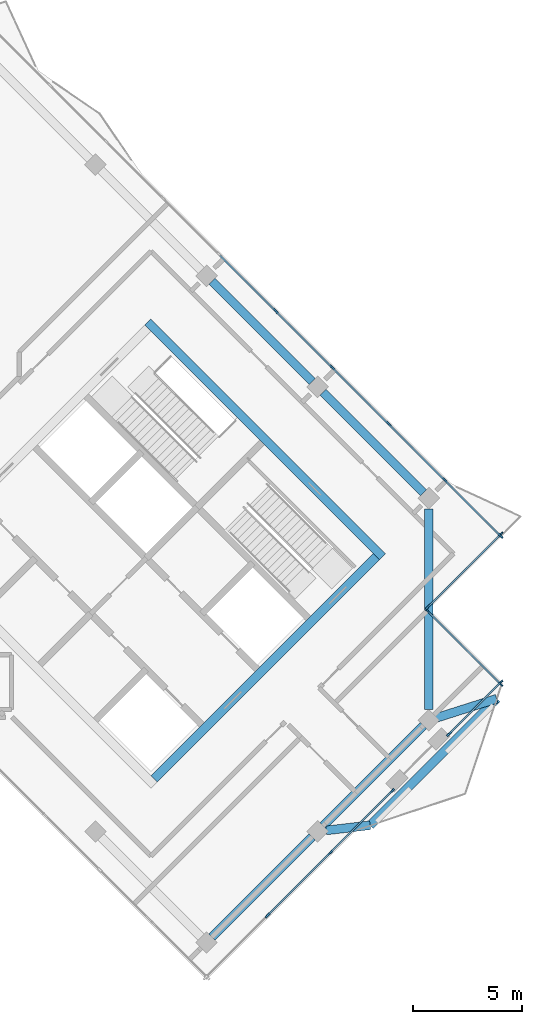
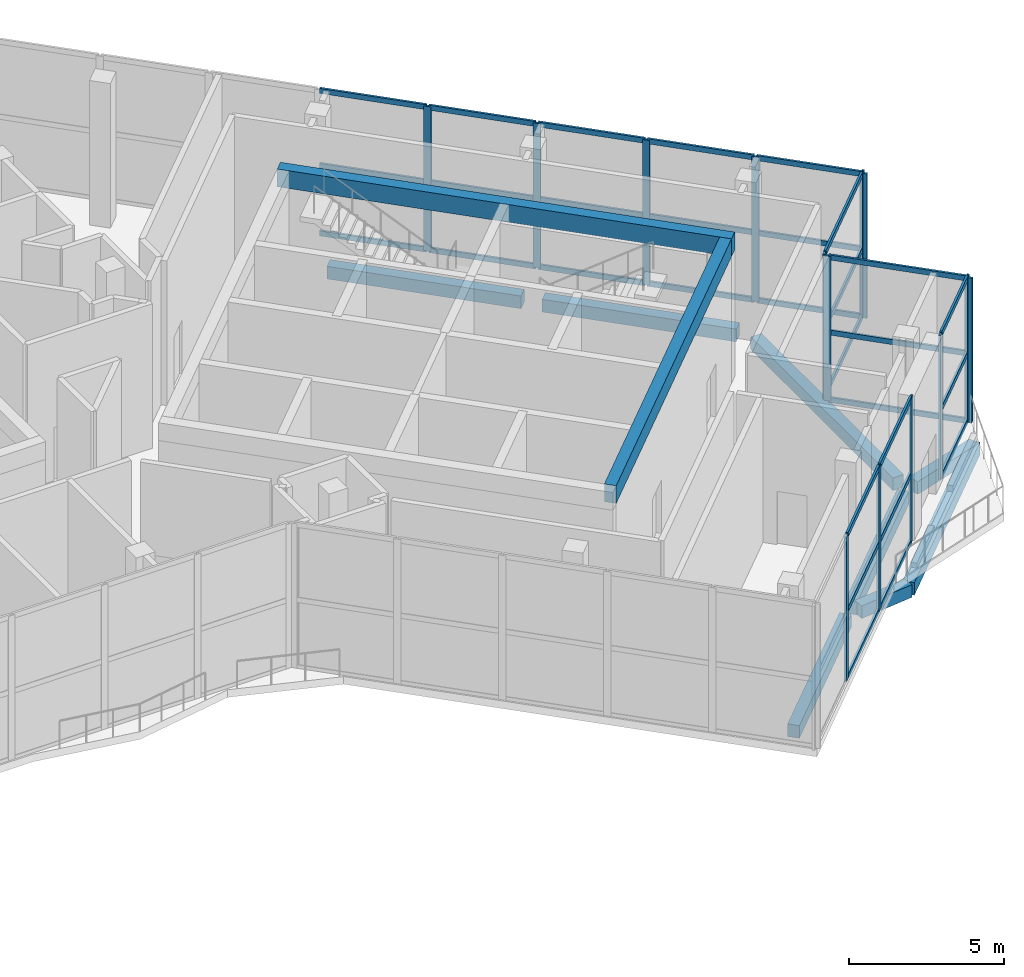
# One storey, part 8 of 19: 44 members, 10 beams, 5 elements without a shape of their own.
"""IFC4 building model written with IfcOpenShell, lengths in metres."""

from ifc_helpers import new_model, si_unit, direction, frame, origin, origin_2d, place, context, subcontext, project, spatial, rectangle, extrude, material, material_profile, profile_set, type_object, element, aggregate, save


model = new_model("IFC4")

# Units and contexts
model_context = context("Model", 3, precision=1e-05, world=origin(), true_north=direction((0.0, 1.0)))
body_context = subcontext(model_context, "Body", "Model", "MODEL_VIEW")
ifc_project = project(units=[si_unit("LENGTHUNIT", "METRE"), si_unit("AREAUNIT", "SQUARE_METRE"), si_unit("VOLUMEUNIT", "CUBIC_METRE"), si_unit("PLANEANGLEUNIT", "RADIAN"), si_unit("MASSUNIT", "GRAM", prefix="KILO")], contexts=[model_context])

# Site, building, storey
site_placement = place(None, origin())
site = spatial("IfcSite", under=ifc_project, at=site_placement, CompositionType="ELEMENT")
building_placement = place(site_placement, origin())
building = spatial("IfcBuilding", under=site, at=building_placement, Name="Windrow Commons", CompositionType="ELEMENT")
storey_placement = place(building_placement, frame((0.0, 0.0, 284.6)))
storey = spatial("IfcBuildingStorey", under=building, at=storey_placement, Name="L78", CompositionType="ELEMENT", Elevation=284.6)

# Curtain wall, members
ifc_material_1 = material(Name="Clear laminated glass in Aluminium 6063-T6 anodised frame", Category="aluminium")
curtain_wall_type = type_object("IfcCurtainWallType", Name="Curtain wall CW3 damper floor", PredefinedType="USERDEFINED", material=ifc_material_1)
placement = place(storey_placement, origin())
curtain_wall_1 = element("IfcCurtainWall", 1, at=placement, inside=storey, type_object=curtain_wall_type, Name="Curtain wall CW3 L78 1.1", ObjectType="STRUCTURAL SILICONE", PredefinedType="USERDEFINED")
ifc_material_2 = material(Name="Aluminium 6063-T6", Category="aluminium")
ifc_material_profile_1 = material_profile(ifc_material_2, rectangle(XDim=0.08, YDim=0.25, at=origin_2d()))
ifc_profile_set_1 = profile_set([ifc_material_profile_1], Name="Aluminium 6063-T6")
member_type_1 = type_object("IfcMemberType", Name="CW3 mullion 80x250", PredefinedType="MULLION", material=ifc_profile_set_1)
member_1_placement = place(storey_placement, frame((92.1792, 32.5119, 0.0), z_axis=(0.0, 0.0, 1.0), x_axis=(-0.707104177, 0.7071093854, 0.0)))
member_1 = element("IfcMember", 2, at=member_1_placement, type_object=member_type_1, Name="CW3 mullion 2", PredefinedType="MULLION", context=body_context, shape_type="SweptSolid", body=[
    extrude(rectangle(XDim=0.08, YDim=0.25, at=origin_2d()), origin(), (0.0, 0.0, 1.0), 5.7),
])
member_2_placement = place(storey_placement, frame((95.0467, 35.3794, 0.0), z_axis=(0.0, 0.0, 1.0), x_axis=(-0.707104177, 0.7071093854, 0.0)))
member_2 = element("IfcMember", 3, at=member_2_placement, type_object=member_type_1, Name="CW3 mullion 3", PredefinedType="MULLION", context=body_context, shape_type="SweptSolid", body=[
    extrude(rectangle(XDim=0.08, YDim=0.25, at=origin_2d()), origin(), (0.0, 0.0, 1.0), 5.7),
])
member_3_placement = place(storey_placement, frame((97.886, 38.2187, 0.0), z_axis=(0.0, 0.0, 1.0), x_axis=(-0.707104177, 0.7071093854, 0.0)))
member_3 = element("IfcMember", 4, at=member_3_placement, type_object=member_type_1, Name="CW3 mullion 4", PredefinedType="MULLION", context=body_context, shape_type="SweptSolid", body=[
    extrude(rectangle(XDim=0.08, YDim=0.25, at=origin_2d()), origin(), (0.0, 0.0, 1.0), 5.7),
])

curtain_wall_2 = element("IfcCurtainWall", 5, at=placement, inside=storey, type_object=curtain_wall_type, Name="Curtain wall CW3 L78 1.2", ObjectType="STRUCTURAL SILICONE", PredefinedType="USERDEFINED")
member_4_placement = place(storey_placement, frame((100.4882, 40.8208, 0.0), z_axis=(0.0, 0.0, 1.0), x_axis=(-0.7071041772, 0.7071093851, 0.0)))
member_4 = element("IfcMember", 6, at=member_4_placement, type_object=member_type_1, Name="CW3 mullion 1", PredefinedType="MULLION", context=body_context, shape_type="SweptSolid", body=[
    extrude(rectangle(XDim=0.08, YDim=0.25, at=origin_2d()), origin(), (0.0, 0.0, 1.0), 5.7),
])
member_5_placement = place(storey_placement, frame((102.8598, 43.1924, 0.0), z_axis=(0.0, 0.0, 1.0), x_axis=(-0.7071041772, 0.7071093851, 0.0)))
member_5 = element("IfcMember", 7, at=member_5_placement, type_object=member_type_1, Name="CW3 mullion 2", PredefinedType="MULLION", context=body_context, shape_type="SweptSolid", body=[
    extrude(rectangle(XDim=0.08, YDim=0.25, at=origin_2d()), origin(), (0.0, 0.0, 1.0), 5.7),
])

curtain_wall_3 = element("IfcCurtainWall", 8, at=placement, inside=storey, type_object=curtain_wall_type, Name="Curtain wall CW3 L78 2", ObjectType="STRUCTURAL SILICONE", PredefinedType="USERDEFINED")
member_6_placement = place(storey_placement, frame((102.8598, 43.1076, 0.0), z_axis=(0.0, 0.0, 1.0), x_axis=(-0.7071171977, -0.7070963646, 0.0)))
member_6 = element("IfcMember", 9, at=member_6_placement, type_object=member_type_1, Name="CW3 mullion 1", PredefinedType="MULLION", context=body_context, shape_type="SweptSolid", body=[
    extrude(rectangle(XDim=0.08, YDim=0.25, at=origin_2d()), origin(), (0.0, 0.0, 1.0), 5.7),
])
member_7_placement = place(storey_placement, frame((99.5223, 46.4452, 0.0), z_axis=(0.0, 0.0, 1.0), x_axis=(-0.7071171977, -0.7070963646, 0.0)))
member_7 = element("IfcMember", 10, at=member_7_placement, type_object=member_type_1, Name="CW3 mullion 2", PredefinedType="MULLION", context=body_context, shape_type="SweptSolid", body=[
    extrude(rectangle(XDim=0.08, YDim=0.25, at=origin_2d()), origin(), (0.0, 0.0, 1.0), 5.7),
])

curtain_wall_4 = element("IfcCurtainWall", 11, at=placement, inside=storey, type_object=curtain_wall_type, Name="Curtain wall CW3 L78 3", ObjectType="STRUCTURAL SILICONE", PredefinedType="USERDEFINED")
member_8_placement = place(storey_placement, frame((99.5223, 46.6432, 0.0), z_axis=(0.0, 0.0, 1.0), x_axis=(-0.7071067812, 0.7071067812, 0.0)))
member_8 = element("IfcMember", 12, at=member_8_placement, type_object=member_type_1, Name="CW3 mullion 1", PredefinedType="MULLION", context=body_context, shape_type="SweptSolid", body=[
    extrude(rectangle(XDim=0.08, YDim=0.25, at=origin_2d()), origin(), (0.0, 0.0, 1.0), 5.7),
])
member_9_placement = place(storey_placement, frame((102.8598, 49.9807, 0.0), z_axis=(0.0, 0.0, 1.0), x_axis=(-0.7071067812, 0.7071067812, 0.0)))
member_9 = element("IfcMember", 13, at=member_9_placement, type_object=member_type_1, Name="CW3 mullion 2", PredefinedType="MULLION", context=body_context, shape_type="SweptSolid", body=[
    extrude(rectangle(XDim=0.08, YDim=0.25, at=origin_2d()), origin(), (0.0, 0.0, 1.0), 5.7),
])

curtain_wall_5 = element("IfcCurtainWall", 14, at=placement, inside=storey, type_object=curtain_wall_type, Name="Curtain wall CW3 L78 4", ObjectType="STRUCTURAL SILICONE", PredefinedType="USERDEFINED")
member_10_placement = place(storey_placement, frame((102.8598, 49.8959, 0.0), z_axis=(0.0, 0.0, 1.0), x_axis=(-0.7071067812, -0.7071067812, 0.0)))
member_10 = element("IfcMember", 15, at=member_10_placement, type_object=member_type_1, Name="CW3 mullion 1", PredefinedType="MULLION", context=body_context, shape_type="SweptSolid", body=[
    extrude(rectangle(XDim=0.08, YDim=0.25, at=origin_2d()), origin(), (0.0, 0.0, 1.0), 5.7),
])
member_11_placement = place(storey_placement, frame((100.3035, 52.4522, 0.0), z_axis=(0.0, 0.0, 1.0), x_axis=(-0.7071067812, -0.7071067812, 0.0)))
member_11 = element("IfcMember", 16, at=member_11_placement, type_object=member_type_1, Name="CW3 mullion 2", PredefinedType="MULLION", context=body_context, shape_type="SweptSolid", body=[
    extrude(rectangle(XDim=0.08, YDim=0.25, at=origin_2d()), origin(), (0.0, 0.0, 1.0), 5.7),
])
member_12_placement = place(storey_placement, frame((97.7188, 55.0369, 0.0), z_axis=(0.0, 0.0, 1.0), x_axis=(-0.7071067812, -0.7071067812, 0.0)))
member_12 = element("IfcMember", 17, at=member_12_placement, type_object=member_type_1, Name="CW3 mullion 3", PredefinedType="MULLION", context=body_context, shape_type="SweptSolid", body=[
    extrude(rectangle(XDim=0.08, YDim=0.25, at=origin_2d()), origin(), (0.0, 0.0, 1.0), 5.7),
])
member_13_placement = place(storey_placement, frame((95.1342, 57.6215, 0.0), z_axis=(0.0, 0.0, 1.0), x_axis=(-0.7071067812, -0.7071067812, 0.0)))
member_13 = element("IfcMember", 18, at=member_13_placement, type_object=member_type_1, Name="CW3 mullion 4", PredefinedType="MULLION", context=body_context, shape_type="SweptSolid", body=[
    extrude(rectangle(XDim=0.08, YDim=0.25, at=origin_2d()), origin(), (0.0, 0.0, 1.0), 5.7),
])
member_14_placement = place(storey_placement, frame((92.5496, 60.2061, 0.0), z_axis=(0.0, 0.0, 1.0), x_axis=(-0.7071067812, -0.7071067812, 0.0)))
member_14 = element("IfcMember", 19, at=member_14_placement, type_object=member_type_1, Name="CW3 mullion 5", PredefinedType="MULLION", context=body_context, shape_type="SweptSolid", body=[
    extrude(rectangle(XDim=0.08, YDim=0.25, at=origin_2d()), origin(), (0.0, 0.0, 1.0), 5.7),
])

# Member
ifc_material_3 = material(Name="Aluminium 6063-T6", Category="aluminium")
ifc_material_profile_2 = material_profile(ifc_material_3, rectangle(XDim=0.08, YDim=0.2, at=origin_2d()))
ifc_profile_set_2 = profile_set([ifc_material_profile_2], Name="Aluminium 6063-T6")
member_type_2 = type_object("IfcMemberType", Name="CW3 transom 80x200", PredefinedType="USERDEFINED", material=ifc_profile_set_2)
member_15_placement = place(storey_placement, frame((92.2074, 32.5401, 0.04), z_axis=(0.7071067812, 0.7071067812, 0.0), x_axis=(-0.7071067812, 0.7071067812, 0.0)))
member_15 = element("IfcMember", 20, at=member_15_placement, type_object=member_type_2, Name="CW3 transom 2.1", ObjectType="TRANSOM", PredefinedType="USERDEFINED", context=body_context, shape_type="SweptSolid", body=[
    extrude(rectangle(XDim=0.08, YDim=0.2, at=origin_2d()), origin(), (0.0, 0.0, 1.0), 3.9754),
])

member_16_placement = place(storey_placement, frame((92.2074, 32.5401, 2.7), z_axis=(0.7071067812, 0.7071067812, 0.0), x_axis=(-0.7071067812, 0.7071067812, 0.0)))
member_16 = element("IfcMember", 21, at=member_16_placement, type_object=member_type_2, Name="CW3 transom 2.2", ObjectType="TRANSOM", PredefinedType="USERDEFINED", context=body_context, shape_type="SweptSolid", body=[
    extrude(rectangle(XDim=0.08, YDim=0.2, at=origin_2d()), origin(), (0.0, 0.0, 1.0), 3.9754),
])

member_17_placement = place(storey_placement, frame((92.2074, 32.5401, 5.66), z_axis=(0.7071067812, 0.7071067812, 0.0), x_axis=(-0.7071067812, 0.7071067812, 0.0)))
member_17 = element("IfcMember", 22, at=member_17_placement, type_object=member_type_2, Name="CW3 transom 2.3", ObjectType="TRANSOM", PredefinedType="USERDEFINED", context=body_context, shape_type="SweptSolid", body=[
    extrude(rectangle(XDim=0.08, YDim=0.2, at=origin_2d()), origin(), (0.0, 0.0, 1.0), 3.9754),
])

member_18_placement = place(storey_placement, frame((95.075, 35.4077, 0.04), z_axis=(0.7071067812, 0.7071067812, 0.0), x_axis=(-0.7071067812, 0.7071067812, 0.0)))
member_18 = element("IfcMember", 23, at=member_18_placement, type_object=member_type_2, Name="CW3 transom 3.1", ObjectType="TRANSOM", PredefinedType="USERDEFINED", context=body_context, shape_type="SweptSolid", body=[
    extrude(rectangle(XDim=0.08, YDim=0.2, at=origin_2d()), origin(), (0.0, 0.0, 1.0), 3.9353),
])

member_19_placement = place(storey_placement, frame((95.075, 35.4077, 2.7), z_axis=(0.7071067812, 0.7071067812, 0.0), x_axis=(-0.7071067812, 0.7071067812, 0.0)))
member_19 = element("IfcMember", 24, at=member_19_placement, type_object=member_type_2, Name="CW3 transom 3.2", ObjectType="TRANSOM", PredefinedType="USERDEFINED", context=body_context, shape_type="SweptSolid", body=[
    extrude(rectangle(XDim=0.08, YDim=0.2, at=origin_2d()), origin(), (0.0, 0.0, 1.0), 3.9353),
])

member_20_placement = place(storey_placement, frame((95.075, 35.4077, 5.66), z_axis=(0.7071067812, 0.7071067812, 0.0), x_axis=(-0.7071067812, 0.7071067812, 0.0)))
member_20 = element("IfcMember", 25, at=member_20_placement, type_object=member_type_2, Name="CW3 transom 3.3", ObjectType="TRANSOM", PredefinedType="USERDEFINED", context=body_context, shape_type="SweptSolid", body=[
    extrude(rectangle(XDim=0.08, YDim=0.2, at=origin_2d()), origin(), (0.0, 0.0, 1.0), 3.9353),
])

aggregate(curtain_wall_1, [member_1, member_2, member_3, member_15, member_16, member_17, member_18, member_19, member_20])

member_21_placement = place(storey_placement, frame((100.5164, 40.8491, 0.04), z_axis=(0.707122053, 0.7070915091, 0.0), x_axis=(-0.7070915091, 0.707122053, 0.0)))
member_21 = element("IfcMember", 26, at=member_21_placement, type_object=member_type_2, Name="CW3 transom 1.1", ObjectType="TRANSOM", PredefinedType="USERDEFINED", context=body_context, shape_type="SweptSolid", body=[
    extrude(rectangle(XDim=0.08, YDim=0.2, at=origin_2d()), origin(), (0.0, 0.0, 1.0), 3.274),
])

member_22_placement = place(storey_placement, frame((100.5164, 40.8491, 2.7), z_axis=(0.707122053, 0.7070915091, 0.0), x_axis=(-0.7070915091, 0.707122053, 0.0)))
member_22 = element("IfcMember", 27, at=member_22_placement, type_object=member_type_2, Name="CW3 transom 1.2", ObjectType="TRANSOM", PredefinedType="USERDEFINED", context=body_context, shape_type="SweptSolid", body=[
    extrude(rectangle(XDim=0.08, YDim=0.2, at=origin_2d()), origin(), (0.0, 0.0, 1.0), 3.274),
])

member_23_placement = place(storey_placement, frame((100.5164, 40.8491, 5.66), z_axis=(0.707122053, 0.7070915091, 0.0), x_axis=(-0.7070915091, 0.707122053, 0.0)))
member_23 = element("IfcMember", 28, at=member_23_placement, type_object=member_type_2, Name="CW3 transom 1.3", ObjectType="TRANSOM", PredefinedType="USERDEFINED", context=body_context, shape_type="SweptSolid", body=[
    extrude(rectangle(XDim=0.08, YDim=0.2, at=origin_2d()), origin(), (0.0, 0.0, 1.0), 3.274),
])

aggregate(curtain_wall_2, [member_4, member_5, member_21, member_22, member_23])

member_24_placement = place(storey_placement, frame((102.8315, 43.1359, 0.04), z_axis=(-0.7070960052, 0.7071175571, 0.0), x_axis=(-0.7071175571, -0.7070960052, 0.0)))
member_24 = element("IfcMember", 29, at=member_24_placement, type_object=member_type_2, Name="CW3 transom 1.1", ObjectType="TRANSOM", PredefinedType="USERDEFINED", context=body_context, shape_type="SweptSolid", body=[
    extrude(rectangle(XDim=0.08, YDim=0.2, at=origin_2d()), origin(), (0.0, 0.0, 1.0), 4.64),
])

member_25_placement = place(storey_placement, frame((102.8315, 43.1359, 2.7), z_axis=(-0.7070960052, 0.7071175571, 0.0), x_axis=(-0.7071175571, -0.7070960052, 0.0)))
member_25 = element("IfcMember", 30, at=member_25_placement, type_object=member_type_2, Name="CW3 transom 1.2", ObjectType="TRANSOM", PredefinedType="USERDEFINED", context=body_context, shape_type="SweptSolid", body=[
    extrude(rectangle(XDim=0.08, YDim=0.2, at=origin_2d()), origin(), (0.0, 0.0, 1.0), 4.64),
])

member_26_placement = place(storey_placement, frame((102.8315, 43.1359, 5.66), z_axis=(-0.7070960052, 0.7071175571, 0.0), x_axis=(-0.7071175571, -0.7070960052, 0.0)))
member_26 = element("IfcMember", 31, at=member_26_placement, type_object=member_type_2, Name="CW3 transom 1.3", ObjectType="TRANSOM", PredefinedType="USERDEFINED", context=body_context, shape_type="SweptSolid", body=[
    extrude(rectangle(XDim=0.08, YDim=0.2, at=origin_2d()), origin(), (0.0, 0.0, 1.0), 4.64),
])

aggregate(curtain_wall_3, [member_6, member_7, member_24, member_25, member_26])

member_27_placement = place(storey_placement, frame((99.5506, 46.6715, 0.04), z_axis=(0.7071067812, 0.7071067812, 0.0), x_axis=(-0.7071067812, 0.7071067812, 0.0)))
member_27 = element("IfcMember", 32, at=member_27_placement, type_object=member_type_2, Name="CW3 transom 1.1", ObjectType="TRANSOM", PredefinedType="USERDEFINED", context=body_context, shape_type="SweptSolid", body=[
    extrude(rectangle(XDim=0.08, YDim=0.2, at=origin_2d()), origin(), (0.0, 0.0, 1.0), 4.6399),
])

member_28_placement = place(storey_placement, frame((99.5506, 46.6715, 2.7), z_axis=(0.7071067812, 0.7071067812, 0.0), x_axis=(-0.7071067812, 0.7071067812, 0.0)))
member_28 = element("IfcMember", 33, at=member_28_placement, type_object=member_type_2, Name="CW3 transom 1.2", ObjectType="TRANSOM", PredefinedType="USERDEFINED", context=body_context, shape_type="SweptSolid", body=[
    extrude(rectangle(XDim=0.08, YDim=0.2, at=origin_2d()), origin(), (0.0, 0.0, 1.0), 4.6399),
])

member_29_placement = place(storey_placement, frame((99.5506, 46.6715, 5.66), z_axis=(0.7071067812, 0.7071067812, 0.0), x_axis=(-0.7071067812, 0.7071067812, 0.0)))
member_29 = element("IfcMember", 34, at=member_29_placement, type_object=member_type_2, Name="CW3 transom 1.3", ObjectType="TRANSOM", PredefinedType="USERDEFINED", context=body_context, shape_type="SweptSolid", body=[
    extrude(rectangle(XDim=0.08, YDim=0.2, at=origin_2d()), origin(), (0.0, 0.0, 1.0), 4.6399),
])

aggregate(curtain_wall_4, [member_8, member_9, member_27, member_28, member_29])

member_30_placement = place(storey_placement, frame((102.8315, 49.9242, 0.04), z_axis=(-0.7071209246, 0.7070926375, 0.0), x_axis=(-0.7070926375, -0.7071209246, 0.0)))
member_30 = element("IfcMember", 35, at=member_30_placement, type_object=member_type_2, Name="CW3 transom 1.1", ObjectType="TRANSOM", PredefinedType="USERDEFINED", context=body_context, shape_type="SweptSolid", body=[
    extrude(rectangle(XDim=0.08, YDim=0.2, at=origin_2d()), origin(), (0.0, 0.0, 1.0), 3.5352),
])

member_31_placement = place(storey_placement, frame((102.8315, 49.9242, 2.7), z_axis=(-0.7071209246, 0.7070926375, 0.0), x_axis=(-0.7070926375, -0.7071209246, 0.0)))
member_31 = element("IfcMember", 36, at=member_31_placement, type_object=member_type_2, Name="CW3 transom 1.2", ObjectType="TRANSOM", PredefinedType="USERDEFINED", context=body_context, shape_type="SweptSolid", body=[
    extrude(rectangle(XDim=0.08, YDim=0.2, at=origin_2d()), origin(), (0.0, 0.0, 1.0), 3.5352),
])

member_32_placement = place(storey_placement, frame((102.8315, 49.9242, 5.66), z_axis=(-0.7071209246, 0.7070926375, 0.0), x_axis=(-0.7070926375, -0.7071209246, 0.0)))
member_32 = element("IfcMember", 37, at=member_32_placement, type_object=member_type_2, Name="CW3 transom 1.3", ObjectType="TRANSOM", PredefinedType="USERDEFINED", context=body_context, shape_type="SweptSolid", body=[
    extrude(rectangle(XDim=0.08, YDim=0.2, at=origin_2d()), origin(), (0.0, 0.0, 1.0), 3.5352),
])

member_33_placement = place(storey_placement, frame((100.2752, 52.4805, 0.04), z_axis=(-0.7071067812, 0.7071067812, 0.0), x_axis=(-0.7071067812, -0.7071067812, 0.0)))
member_33 = element("IfcMember", 38, at=member_33_placement, type_object=member_type_2, Name="CW3 transom 2.1", ObjectType="TRANSOM", PredefinedType="USERDEFINED", context=body_context, shape_type="SweptSolid", body=[
    extrude(rectangle(XDim=0.08, YDim=0.2, at=origin_2d()), origin(), (0.0, 0.0, 1.0), 3.5753),
])

member_34_placement = place(storey_placement, frame((100.2752, 52.4805, 2.7), z_axis=(-0.7071067812, 0.7071067812, 0.0), x_axis=(-0.7071067812, -0.7071067812, 0.0)))
member_34 = element("IfcMember", 39, at=member_34_placement, type_object=member_type_2, Name="CW3 transom 2.2", ObjectType="TRANSOM", PredefinedType="USERDEFINED", context=body_context, shape_type="SweptSolid", body=[
    extrude(rectangle(XDim=0.08, YDim=0.2, at=origin_2d()), origin(), (0.0, 0.0, 1.0), 3.5753),
])

member_35_placement = place(storey_placement, frame((100.2752, 52.4805, 5.66), z_axis=(-0.7071067812, 0.7071067812, 0.0), x_axis=(-0.7071067812, -0.7071067812, 0.0)))
member_35 = element("IfcMember", 40, at=member_35_placement, type_object=member_type_2, Name="CW3 transom 2.3", ObjectType="TRANSOM", PredefinedType="USERDEFINED", context=body_context, shape_type="SweptSolid", body=[
    extrude(rectangle(XDim=0.08, YDim=0.2, at=origin_2d()), origin(), (0.0, 0.0, 1.0), 3.5753),
])

member_36_placement = place(storey_placement, frame((97.6905, 55.0651, 0.04), z_axis=(-0.7070927958, 0.7071207663, 0.0), x_axis=(-0.7071207663, -0.7070927958, 0.0)))
member_36 = element("IfcMember", 41, at=member_36_placement, type_object=member_type_2, Name="CW3 transom 3.1", ObjectType="TRANSOM", PredefinedType="USERDEFINED", context=body_context, shape_type="SweptSolid", body=[
    extrude(rectangle(XDim=0.08, YDim=0.2, at=origin_2d()), origin(), (0.0, 0.0, 1.0), 3.5752),
])

member_37_placement = place(storey_placement, frame((97.6905, 55.0651, 2.7), z_axis=(-0.7070927958, 0.7071207663, 0.0), x_axis=(-0.7071207663, -0.7070927958, 0.0)))
member_37 = element("IfcMember", 42, at=member_37_placement, type_object=member_type_2, Name="CW3 transom 3.2", ObjectType="TRANSOM", PredefinedType="USERDEFINED", context=body_context, shape_type="SweptSolid", body=[
    extrude(rectangle(XDim=0.08, YDim=0.2, at=origin_2d()), origin(), (0.0, 0.0, 1.0), 3.5752),
])

member_38_placement = place(storey_placement, frame((97.6905, 55.0651, 5.66), z_axis=(-0.7070927958, 0.7071207663, 0.0), x_axis=(-0.7071207663, -0.7070927958, 0.0)))
member_38 = element("IfcMember", 43, at=member_38_placement, type_object=member_type_2, Name="CW3 transom 3.3", ObjectType="TRANSOM", PredefinedType="USERDEFINED", context=body_context, shape_type="SweptSolid", body=[
    extrude(rectangle(XDim=0.08, YDim=0.2, at=origin_2d()), origin(), (0.0, 0.0, 1.0), 3.5752),
])

member_39_placement = place(storey_placement, frame((95.1059, 57.6498, 0.04), z_axis=(-0.7071207663, 0.7070927958, 0.0), x_axis=(-0.7070927958, -0.7071207663, 0.0)))
member_39 = element("IfcMember", 44, at=member_39_placement, type_object=member_type_2, Name="CW3 transom 4.1", ObjectType="TRANSOM", PredefinedType="USERDEFINED", context=body_context, shape_type="SweptSolid", body=[
    extrude(rectangle(XDim=0.08, YDim=0.2, at=origin_2d()), origin(), (0.0, 0.0, 1.0), 3.5752),
])

member_40_placement = place(storey_placement, frame((95.1059, 57.6498, 2.7), z_axis=(-0.7071207663, 0.7070927958, 0.0), x_axis=(-0.7070927958, -0.7071207663, 0.0)))
member_40 = element("IfcMember", 45, at=member_40_placement, type_object=member_type_2, Name="CW3 transom 4.2", ObjectType="TRANSOM", PredefinedType="USERDEFINED", context=body_context, shape_type="SweptSolid", body=[
    extrude(rectangle(XDim=0.08, YDim=0.2, at=origin_2d()), origin(), (0.0, 0.0, 1.0), 3.5752),
])

member_41_placement = place(storey_placement, frame((95.1059, 57.6498, 5.66), z_axis=(-0.7071207663, 0.7070927958, 0.0), x_axis=(-0.7070927958, -0.7071207663, 0.0)))
member_41 = element("IfcMember", 46, at=member_41_placement, type_object=member_type_2, Name="CW3 transom 4.3", ObjectType="TRANSOM", PredefinedType="USERDEFINED", context=body_context, shape_type="SweptSolid", body=[
    extrude(rectangle(XDim=0.08, YDim=0.2, at=origin_2d()), origin(), (0.0, 0.0, 1.0), 3.5752),
])

member_42_placement = place(storey_placement, frame((92.5213, 60.2344, 0.04), z_axis=(-0.7071067812, 0.7071067812, 0.0), x_axis=(-0.7071067812, -0.7071067812, 0.0)))
member_42 = element("IfcMember", 47, at=member_42_placement, type_object=member_type_2, Name="CW3 transom 5.1", ObjectType="TRANSOM", PredefinedType="USERDEFINED", context=body_context, shape_type="SweptSolid", body=[
    extrude(rectangle(XDim=0.08, YDim=0.2, at=origin_2d()), origin(), (0.0, 0.0, 1.0), 3.5753),
])

member_43_placement = place(storey_placement, frame((92.5213, 60.2344, 2.7), z_axis=(-0.7071067812, 0.7071067812, 0.0), x_axis=(-0.7071067812, -0.7071067812, 0.0)))
member_43 = element("IfcMember", 48, at=member_43_placement, type_object=member_type_2, Name="CW3 transom 5.2", ObjectType="TRANSOM", PredefinedType="USERDEFINED", context=body_context, shape_type="SweptSolid", body=[
    extrude(rectangle(XDim=0.08, YDim=0.2, at=origin_2d()), origin(), (0.0, 0.0, 1.0), 3.5753),
])

member_44_placement = place(storey_placement, frame((92.5213, 60.2344, 5.66), z_axis=(-0.7071067812, 0.7071067812, 0.0), x_axis=(-0.7071067812, -0.7071067812, 0.0)))
member_44 = element("IfcMember", 49, at=member_44_placement, type_object=member_type_2, Name="CW3 transom 5.3", ObjectType="TRANSOM", PredefinedType="USERDEFINED", context=body_context, shape_type="SweptSolid", body=[
    extrude(rectangle(XDim=0.08, YDim=0.2, at=origin_2d()), origin(), (0.0, 0.0, 1.0), 3.5753),
])

aggregate(curtain_wall_5, [member_10, member_11, member_12, member_13, member_14, member_30, member_31, member_32, member_33, member_34, member_35, member_36, member_37, member_38, member_39, member_40, member_41, member_42, member_43, member_44])

# Beams
ifc_material_4 = material(Name="Concrete C40/50", Category="concrete")
ifc_material_profile_3 = material_profile(ifc_material_4, rectangle(XDim=0.4, YDim=0.7, at=origin_2d()))
ifc_profile_set_3 = profile_set([ifc_material_profile_3], Name="Concrete C40/50")
beam_type_1 = type_object("IfcBeamType", Name="RC COUPLING BEAM 400x700 C40/50", PredefinedType="LINTEL", material=ifc_profile_set_3)
beam_1_placement = place(storey_placement, frame((86.6953, 59.6963, 5.35), z_axis=(0.7071100706, -0.7071034917, 0.0), x_axis=(0.7071034917, 0.7071100706, 0.0)))
element("IfcBeam", 50, at=beam_1_placement, inside=storey, type_object=beam_type_1, Name="Core B coupling beam outer-N", PredefinedType="LINTEL", context=body_context, shape_type="SweptSolid", body=[
    extrude(rectangle(XDim=0.4, YDim=0.7, at=origin_2d()), origin(), (0.0, 0.0, 1.0), 15.2),
])
beam_2_placement = place(storey_placement, frame((86.9782, 38.766, 5.35), z_axis=(0.7071067812, 0.7071067812, 0.0), x_axis=(-0.7071067812, 0.7071067812, 0.0)))
element("IfcBeam", 51, at=beam_2_placement, inside=storey, type_object=beam_type_1, Name="Core B coupling beam outer-E", PredefinedType="LINTEL", context=body_context, shape_type="SweptSolid", body=[
    extrude(rectangle(XDim=0.4, YDim=0.7, at=origin_2d()), origin(), (0.0, 0.0, 1.0), 14.3999),
])
ifc_material_5 = material(Name="Concrete C40/50", Category="concrete")
ifc_material_profile_4 = material_profile(ifc_material_5, rectangle(XDim=0.4, YDim=0.5, at=origin_2d()))
ifc_profile_set_4 = profile_set([ifc_material_profile_4], Name="Concrete C40/50")
beam_type_2 = type_object("IfcBeamType", Name="RC EDGE BEAM 400x500 C40/50", PredefinedType="SPANDREL", material=ifc_profile_set_4)
beam_3_placement = place(storey_placement, frame((96.8776, 36.6446, -0.55), z_axis=(0.7071128786, 0.7071006837, 0.0), x_axis=(-0.7071006837, 0.7071128786, 0.0)))
element("IfcBeam", 52, at=beam_3_placement, inside=storey, type_object=beam_type_2, Name="Terrace base beam TR-L78-5", PredefinedType="SPANDREL", context=body_context, shape_type="SweptSolid", body=[
    extrude(rectangle(XDim=0.4, YDim=0.5, at=origin_2d()), origin(), (0.0, 0.0, 1.0), 8.2001),
])
beam_4_placement = place(storey_placement, frame((94.8667, 36.4081, -0.55), z_axis=(0.9931549862, 0.1168039953, 0.0), x_axis=(-0.1168039953, 0.9931549862, 0.0)))
element("IfcBeam", 53, at=beam_4_placement, inside=storey, type_object=beam_type_2, Name="Terrace base bracket beam TR-L78-5.1", PredefinedType="SPANDREL", context=body_context, shape_type="SweptSolid", body=[
    extrude(rectangle(XDim=0.4, YDim=0.5, at=origin_2d()), origin(), (0.0, 0.0, 1.0), 2.0248),
])
beam_5_placement = place(storey_placement, frame((99.8926, 41.5573, -0.55), z_axis=(0.9529284778, 0.3031951785, 0.0), x_axis=(-0.3031951785, 0.9529284778, 0.0)))
element("IfcBeam", 54, at=beam_5_placement, inside=storey, type_object=beam_type_2, Name="Terrace base bracket beam TR-L78-5.2", PredefinedType="SPANDREL", context=body_context, shape_type="SweptSolid", body=[
    extrude(rectangle(XDim=0.4, YDim=0.5, at=origin_2d()), origin(), (0.0, 0.0, 1.0), 2.9209),
])
for number, where, z_axis, x_axis, name in (
    (55, (89.6298, 61.5702, -0.55), (0.7071067812, -0.7071067812, 0.0), (0.7071067812, 0.7071067812, 0.0), "Edge beam L78 018"),
    (56, (94.721, 56.479, -0.55), (0.7071067812, -0.7071067812, 0.0), (0.7071067812, 0.7071067812, 0.0), "Edge beam L78 019"),
):
    element("IfcBeam", number, at=place(storey_placement, frame(where, z_axis=z_axis, x_axis=x_axis)), inside=storey, type_object=beam_type_2, Name=name, PredefinedType="SPANDREL", context=body_context, shape_type="SweptSolid", body=[
        extrude(rectangle(XDim=0.4, YDim=0.5, at=origin_2d()), origin(), (0.0, 0.0, 1.0), 6.5),
    ])
beam_6_placement = place(storey_placement, frame((99.5647, 51.1403, -0.55), z_axis=(0.0, -1.0, 0.0), x_axis=(1.0, 0.0, 0.0)))
element("IfcBeam", 57, at=beam_6_placement, inside=storey, type_object=beam_type_2, Name="Edge beam L78 020", PredefinedType="SPANDREL", context=body_context, shape_type="SweptSolid", body=[
    extrude(rectangle(XDim=0.4, YDim=0.5, at=origin_2d()), origin(), (0.0, 0.0, 1.0), 9.1923),
])
for number, where, z_axis, x_axis, name in (
    (58, (99.3172, 41.2055, -0.55), (-0.7071067812, -0.7071067812, 0.0), (0.7071067812, -0.7071067812, 0.0), "Edge beam L78 021"),
    (59, (94.226, 36.1143, -0.55), (-0.7071067812, -0.7071067812, 0.0), (0.7071067812, -0.7071067812, 0.0), "Edge beam L78 022"),
):
    element("IfcBeam", number, at=place(storey_placement, frame(where, z_axis=z_axis, x_axis=x_axis)), inside=storey, type_object=beam_type_2, Name=name, PredefinedType="SPANDREL", context=body_context, shape_type="SweptSolid", body=[
        extrude(rectangle(XDim=0.4, YDim=0.5, at=origin_2d()), origin(), (0.0, 0.0, 1.0), 6.5),
    ])

save(model, "model.ifc")
